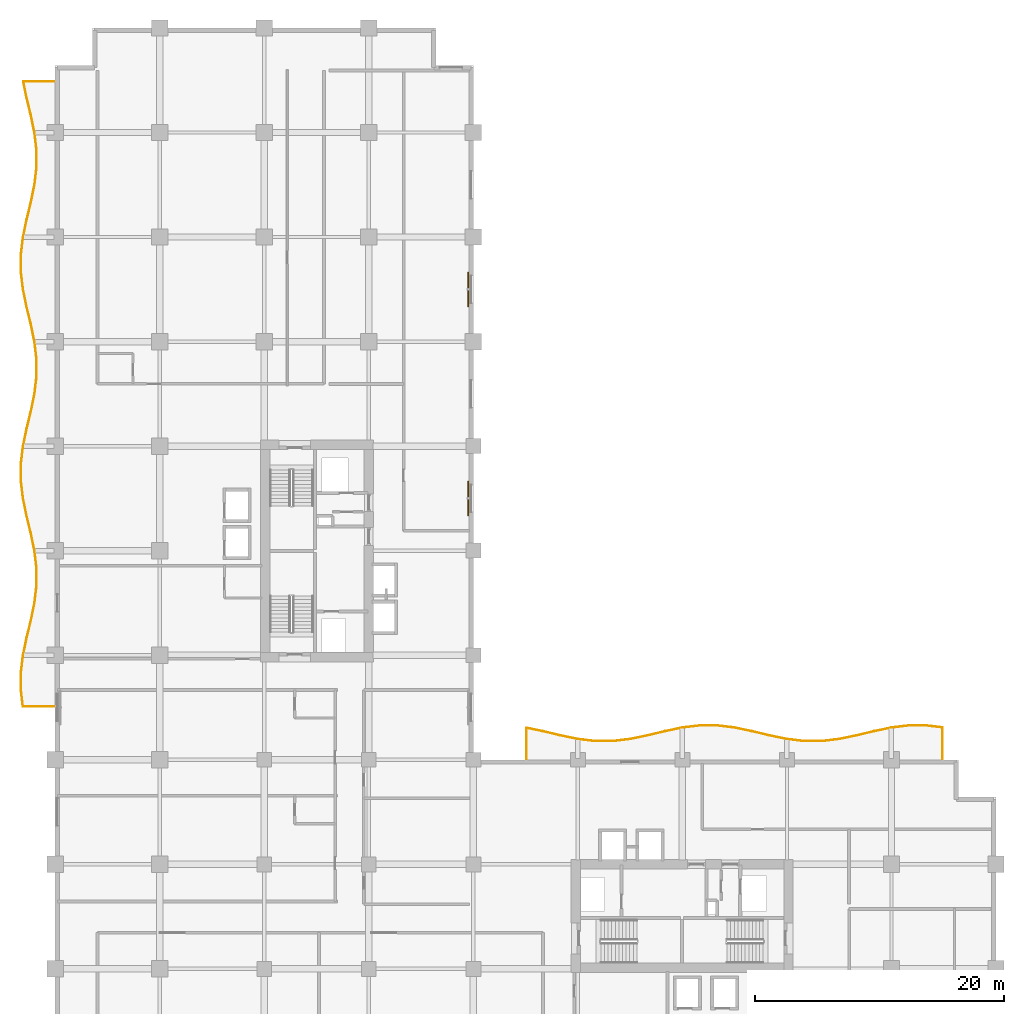
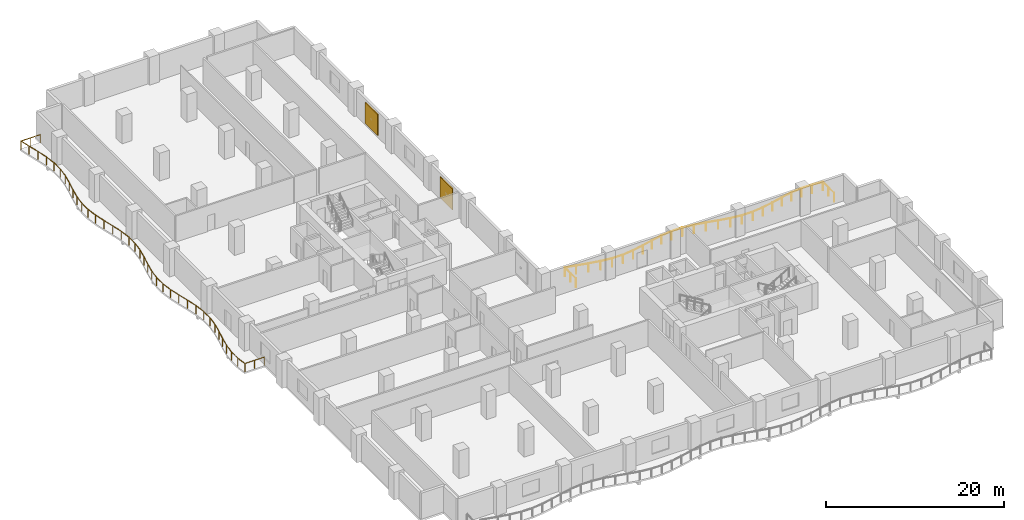
# One storey, part 15 of 15: 2 railings, 2 shading devices.
"""IFC4 building model written with IfcOpenShell, lengths in metres."""

from ifc_helpers import new_model, si_unit, direction, frame, origin, origin_2d, place, context, subcontext, project, spatial, rectangle, circle, extrude, material, layer, layer_set, type_object, element, save


model = new_model("IFC4")

# Units and contexts
model_context = context("Model", 3, precision=1e-05, world=origin(), true_north=direction((0.0, 1.0)))
body_context = subcontext(model_context, "Body", "Model", "MODEL_VIEW")
ifc_project = project(units=[si_unit("LENGTHUNIT", "METRE"), si_unit("AREAUNIT", "SQUARE_METRE"), si_unit("VOLUMEUNIT", "CUBIC_METRE"), si_unit("PLANEANGLEUNIT", "RADIAN"), si_unit("MASSUNIT", "GRAM", prefix="KILO")], contexts=[model_context])

# Site, building, storey
site_placement = place(None, origin())
site = spatial("IfcSite", under=ifc_project, at=site_placement, CompositionType="ELEMENT")
building_placement = place(site_placement, origin())
building = spatial("IfcBuilding", under=site, at=building_placement, Name="Koriwani Terraces Tower", CompositionType="ELEMENT")
storey_placement = place(building_placement, frame((0.0, 0.0, 138.0)))
storey = spatial("IfcBuildingStorey", under=building, at=storey_placement, Name="L33", CompositionType="ELEMENT", Elevation=138.0)

# Railings
ifc_material_1 = material(Name="Steel ASTM A572 Grade 50", Category="steel")
railing_type = type_object("IfcRailingType", Name="GUARD_BALUSTRADE_1150", PredefinedType="BALUSTRADE", material=ifc_material_1)
railing_1_placement = place(storey_placement, frame((-0.080078125, 37.8798828125, 0.0)))
element("IfcRailing", 1, at=railing_1_placement, inside=storey, type_object=railing_type, Name="L33 Balcony Perimeter Safety Balustrade (W)", PredefinedType="BALUSTRADE", context=body_context, shape_type="SweptSolid", body=[
    extrude(circle(Radius=0.02392578125, at=origin_2d()), frame((0.0, 0.0, 1.1259765625), z_axis=(-1.0, 0.0, 0.0), x_axis=(0.0, -1.0, 0.0)), (0.0, 0.0, 1.0), 2.508544921875),
    extrude(circle(Radius=0.02392578125, at=origin_2d()), frame((-2.508544921875, 0.0, 1.1259765625), z_axis=(-0.119282286421, 0.992860380993, 0.0), x_axis=(-0.992860380993, -0.119282286421, 0.0)), (0.0, 0.0, 1.0), 1.33447265625),
    extrude(circle(Radius=0.02392578125, at=origin_2d()), frame((-2.667724609375, 1.324951171875, 1.1259765625), z_axis=(0.0, 1.0, 0.0), x_axis=(-1.0, 0.0, 0.0)), (0.0, 0.0, 1.0), 1.390380859375),
    extrude(circle(Radius=0.02392578125, at=origin_2d()), frame((-2.667724609375, 2.71533203125, 1.1259765625), z_axis=(0.119296300234, 0.992858697273, 0.0), x_axis=(-0.992858697273, 0.119296300234, 0.0)), (0.0, 0.0, 1.0), 1.40185546875),
    extrude(circle(Radius=0.02392578125, at=origin_2d()), frame((-2.50048828125, 4.107177734375, 1.1259765625), z_axis=(0.203817459967, 0.979008908546, 0.0), x_axis=(-0.979008908546, 0.203817459967, 0.0)), (0.0, 0.0, 1.0), 1.425537109375),
    extrude(circle(Radius=0.02392578125, at=origin_2d()), frame((-2.2099609375, 5.502685546875, 1.1259765625), z_axis=(0.233667958249, 0.972316453264, 0.0), x_axis=(-0.972316453264, 0.233667958249, 0.0)), (0.0, 0.0, 1.0), 1.439697265625),
    extrude(circle(Radius=0.02392578125, at=origin_2d()), frame((-1.87353515625, 6.902587890625, 1.1259765625), z_axis=(0.203539678581, 0.979066698056, 0.0), x_axis=(-0.979066698056, 0.203539678581, 0.0)), (0.0, 0.0, 1.0), 1.4345703125),
    extrude(circle(Radius=0.02392578125, at=origin_2d()), frame((-1.58154296875, 8.30712890625, 1.1259765625), z_axis=(0.119287758056, 0.992859723616, 0.0), x_axis=(-0.992859723616, 0.119287758056, 0.0)), (0.0, 0.0, 1.0), 1.418212890625),
    extrude(circle(Radius=0.02392578125, at=origin_2d()), frame((-1.412353515625, 9.71533203125, 1.1259765625), z_axis=(0.0, 1.0, 0.0), x_axis=(-1.0, 0.0, 0.0)), (0.0, 0.0, 1.0), 1.40966796875),
    extrude(circle(Radius=0.02392578125, at=origin_2d()), frame((-1.412353515625, 11.125, 1.1259765625), z_axis=(-0.119308148191, 0.992857273618, 0.0), x_axis=(-0.992857273618, -0.119308148191, 0.0)), (0.0, 0.0, 1.0), 1.41796875),
    extrude(circle(Radius=0.02392578125, at=origin_2d()), frame((-1.58154296875, 12.532958984375, 1.1259765625), z_axis=(-0.203539678581, 0.979066698056, 0.0), x_axis=(-0.979066698056, -0.203539678581, 0.0)), (0.0, 0.0, 1.0), 1.4345703125),
    extrude(circle(Radius=0.02392578125, at=origin_2d()), frame((-1.87353515625, 13.9375, 1.1259765625), z_axis=(-0.233629438166, 0.972325709638, 0.0), x_axis=(-0.972325709638, -0.233629438166, 0.0)), (0.0, 0.0, 1.0), 1.43994140625),
    extrude(circle(Radius=0.02392578125, at=origin_2d()), frame((-2.2099609375, 15.337646484375, 1.1259765625), z_axis=(-0.20385164167, 0.979001791719, 0.0), x_axis=(-0.979001791719, -0.20385164167, 0.0)), (0.0, 0.0, 1.0), 1.42529296875),
    extrude(circle(Radius=0.02392578125, at=origin_2d()), frame((-2.50048828125, 16.73291015625, 1.1259765625), z_axis=(-0.119275676073, 0.992861175138, 0.0), x_axis=(-0.992861175138, -0.119275676073, 0.0)), (0.0, 0.0, 1.0), 1.402099609375),
    extrude(circle(Radius=0.02392578125, at=origin_2d()), frame((-2.667724609375, 18.125, 1.1259765625), z_axis=(0.0, 1.0, 0.0), x_axis=(-1.0, 0.0, 0.0)), (0.0, 0.0, 1.0), 1.390380859375),
    extrude(circle(Radius=0.02392578125, at=origin_2d()), frame((-2.667724609375, 19.515380859375, 1.1259765625), z_axis=(0.119296300234, 0.992858697273, 0.0), x_axis=(-0.992858697273, 0.119296300234, 0.0)), (0.0, 0.0, 1.0), 1.40185546875),
    extrude(circle(Radius=0.02392578125, at=origin_2d()), frame((-2.50048828125, 20.9072265625, 1.1259765625), z_axis=(0.203817459967, 0.979008908546, 0.0), x_axis=(-0.979008908546, 0.203817459967, 0.0)), (0.0, 0.0, 1.0), 1.425537109375),
    extrude(circle(Radius=0.02392578125, at=origin_2d()), frame((-2.2099609375, 22.302734375, 1.1259765625), z_axis=(0.233667958249, 0.972316453264, 0.0), x_axis=(-0.972316453264, 0.233667958249, 0.0)), (0.0, 0.0, 1.0), 1.439697265625),
    extrude(circle(Radius=0.02392578125, at=origin_2d()), frame((-1.87353515625, 23.70263671875, 1.1259765625), z_axis=(0.203539678581, 0.979066698056, 0.0), x_axis=(-0.979066698056, 0.203539678581, 0.0)), (0.0, 0.0, 1.0), 1.4345703125),
    extrude(circle(Radius=0.02392578125, at=origin_2d()), frame((-1.58154296875, 25.107177734375, 1.1259765625), z_axis=(0.119287758056, 0.992859723616, 0.0), x_axis=(-0.992859723616, 0.119287758056, 0.0)), (0.0, 0.0, 1.0), 1.418212890625),
    extrude(circle(Radius=0.02392578125, at=origin_2d()), frame((-1.412353515625, 26.515380859375, 1.1259765625), z_axis=(0.0, 1.0, 0.0), x_axis=(-1.0, 0.0, 0.0)), (0.0, 0.0, 1.0), 1.409423828125),
    extrude(circle(Radius=0.02392578125, at=origin_2d()), frame((-1.412353515625, 27.9248046875, 1.1259765625), z_axis=(-0.119287758056, 0.992859723616, 0.0), x_axis=(-0.992859723616, -0.119287758056, 0.0)), (0.0, 0.0, 1.0), 1.418212890625),
    extrude(circle(Radius=0.02392578125, at=origin_2d()), frame((-1.58154296875, 29.3330078125, 1.1259765625), z_axis=(-0.203539678581, 0.979066698056, 0.0), x_axis=(-0.979066698056, -0.203539678581, 0.0)), (0.0, 0.0, 1.0), 1.4345703125),
    extrude(circle(Radius=0.02392578125, at=origin_2d()), frame((-1.87353515625, 30.737548828125, 1.1259765625), z_axis=(-0.233629438166, 0.972325709638, 0.0), x_axis=(-0.972325709638, -0.233629438166, 0.0)), (0.0, 0.0, 1.0), 1.43994140625),
    extrude(circle(Radius=0.02392578125, at=origin_2d()), frame((-2.2099609375, 32.1376953125, 1.1259765625), z_axis=(-0.20385164167, 0.979001791719, 0.0), x_axis=(-0.979001791719, -0.20385164167, 0.0)), (0.0, 0.0, 1.0), 1.42529296875),
    extrude(circle(Radius=0.02392578125, at=origin_2d()), frame((-2.50048828125, 33.532958984375, 1.1259765625), z_axis=(-0.119296300234, 0.992858697273, 0.0), x_axis=(-0.992858697273, -0.119296300234, 0.0)), (0.0, 0.0, 1.0), 1.40185546875),
    extrude(circle(Radius=0.02392578125, at=origin_2d()), frame((-2.667724609375, 34.9248046875, 1.1259765625), z_axis=(0.0, 1.0, 0.0), x_axis=(-1.0, 0.0, 0.0)), (0.0, 0.0, 1.0), 1.390625),
    extrude(circle(Radius=0.02392578125, at=origin_2d()), frame((-2.667724609375, 36.3154296875, 1.1259765625), z_axis=(0.119296300234, 0.992858697273, 0.0), x_axis=(-0.992858697273, 0.119296300234, 0.0)), (0.0, 0.0, 1.0), 1.40185546875),
    extrude(circle(Radius=0.02392578125, at=origin_2d()), frame((-2.50048828125, 37.707275390625, 1.1259765625), z_axis=(0.20385164167, 0.979001791719, 0.0), x_axis=(-0.979001791719, 0.20385164167, 0.0)), (0.0, 0.0, 1.0), 1.42529296875),
    extrude(circle(Radius=0.02392578125, at=origin_2d()), frame((-2.2099609375, 39.1025390625, 1.1259765625), z_axis=(0.233629438166, 0.972325709638, 0.0), x_axis=(-0.972325709638, 0.233629438166, 0.0)), (0.0, 0.0, 1.0), 1.43994140625),
    extrude(circle(Radius=0.02392578125, at=origin_2d()), frame((-1.87353515625, 40.502685546875, 1.1259765625), z_axis=(0.203539678581, 0.979066698056, 0.0), x_axis=(-0.979066698056, 0.203539678581, 0.0)), (0.0, 0.0, 1.0), 1.4345703125),
    extrude(circle(Radius=0.02392578125, at=origin_2d()), frame((-1.58154296875, 41.9072265625, 1.1259765625), z_axis=(0.119287758056, 0.992859723616, 0.0), x_axis=(-0.992859723616, 0.119287758056, 0.0)), (0.0, 0.0, 1.0), 1.418212890625),
    extrude(circle(Radius=0.02392578125, at=origin_2d()), frame((-1.412353515625, 43.3154296875, 1.1259765625), z_axis=(0.0, 1.0, 0.0), x_axis=(-1.0, 0.0, 0.0)), (0.0, 0.0, 1.0), 1.409423828125),
    extrude(circle(Radius=0.02392578125, at=origin_2d()), frame((-1.412353515625, 44.724853515625, 1.1259765625), z_axis=(-0.119287758056, 0.992859723616, 0.0), x_axis=(-0.992859723616, -0.119287758056, 0.0)), (0.0, 0.0, 1.0), 1.418212890625),
    extrude(circle(Radius=0.02392578125, at=origin_2d()), frame((-1.58154296875, 46.133056640625, 1.1259765625), z_axis=(-0.203539678581, 0.979066698056, 0.0), x_axis=(-0.979066698056, -0.203539678581, 0.0)), (0.0, 0.0, 1.0), 1.4345703125),
    extrude(circle(Radius=0.02392578125, at=origin_2d()), frame((-1.87353515625, 47.53759765625, 1.1259765625), z_axis=(-0.233667958249, 0.972316453264, 0.0), x_axis=(-0.972316453264, -0.233667958249, 0.0)), (0.0, 0.0, 1.0), 1.439697265625),
    extrude(circle(Radius=0.02392578125, at=origin_2d()), frame((-2.2099609375, 48.9375, 1.1259765625), z_axis=(-0.203837026158, 0.979004834905, 0.0), x_axis=(-0.979004834905, -0.203837026158, 0.0)), (0.0, 0.0, 1.0), 1.33056640625),
    extrude(circle(Radius=0.02392578125, at=origin_2d()), frame((-2.481201171875, 50.240234375, 1.1259765625), z_axis=(1.0, 0.0, 0.0), x_axis=(0.0, 1.0, 0.0)), (0.0, 0.0, 1.0), 2.481201171875),
    extrude(circle(Radius=0.02099609375, at=origin_2d()), origin(), (0.0, 0.0, 1.0), 1.101806640625),
    extrude(circle(Radius=0.02099609375, at=origin_2d()), frame((-1.25439453125, 0.0, 0.0)), (0.0, 0.0, 1.0), 1.101806640625),
    extrude(circle(Radius=0.02099609375, at=origin_2d()), frame((-2.508544921875, 0.0, 0.0)), (0.0, 0.0, 1.0), 1.101806640625),
    extrude(circle(Radius=0.02099609375, at=origin_2d()), frame((-2.667724609375, 1.324951171875, 0.0)), (0.0, 0.0, 1.0), 1.101806640625),
    extrude(circle(Radius=0.02099609375, at=origin_2d()), frame((-2.667724609375, 2.71533203125, 0.0)), (0.0, 0.0, 1.0), 1.101806640625),
    extrude(circle(Radius=0.02099609375, at=origin_2d()), frame((-2.50048828125, 4.107177734375, 0.0)), (0.0, 0.0, 1.0), 1.101806640625),
    extrude(circle(Radius=0.02099609375, at=origin_2d()), frame((-2.2099609375, 5.502685546875, 0.0)), (0.0, 0.0, 1.0), 1.101806640625),
    extrude(circle(Radius=0.02099609375, at=origin_2d()), frame((-1.87353515625, 6.902587890625, 0.0)), (0.0, 0.0, 1.0), 1.101806640625),
    extrude(circle(Radius=0.02099609375, at=origin_2d()), frame((-1.58154296875, 8.30712890625, 0.0)), (0.0, 0.0, 1.0), 1.101806640625),
    extrude(circle(Radius=0.02099609375, at=origin_2d()), frame((-1.412353515625, 9.71533203125, 0.0)), (0.0, 0.0, 1.0), 1.101806640625),
    extrude(circle(Radius=0.02099609375, at=origin_2d()), frame((-1.412353515625, 11.125, 0.0)), (0.0, 0.0, 1.0), 1.101806640625),
    extrude(circle(Radius=0.02099609375, at=origin_2d()), frame((-1.58154296875, 12.532958984375, 0.0)), (0.0, 0.0, 1.0), 1.101806640625),
    extrude(circle(Radius=0.02099609375, at=origin_2d()), frame((-1.87353515625, 13.9375, 0.0)), (0.0, 0.0, 1.0), 1.101806640625),
    extrude(circle(Radius=0.02099609375, at=origin_2d()), frame((-2.2099609375, 15.337646484375, 0.0)), (0.0, 0.0, 1.0), 1.101806640625),
    extrude(circle(Radius=0.02099609375, at=origin_2d()), frame((-2.50048828125, 16.73291015625, 0.0)), (0.0, 0.0, 1.0), 1.101806640625),
    extrude(circle(Radius=0.02099609375, at=origin_2d()), frame((-2.667724609375, 18.125, 0.0)), (0.0, 0.0, 1.0), 1.101806640625),
    extrude(circle(Radius=0.02099609375, at=origin_2d()), frame((-2.667724609375, 19.515380859375, 0.0)), (0.0, 0.0, 1.0), 1.101806640625),
    extrude(circle(Radius=0.02099609375, at=origin_2d()), frame((-2.50048828125, 20.9072265625, 0.0)), (0.0, 0.0, 1.0), 1.101806640625),
    extrude(circle(Radius=0.02099609375, at=origin_2d()), frame((-2.2099609375, 22.302734375, 0.0)), (0.0, 0.0, 1.0), 1.101806640625),
    extrude(circle(Radius=0.02099609375, at=origin_2d()), frame((-1.87353515625, 23.70263671875, 0.0)), (0.0, 0.0, 1.0), 1.101806640625),
    extrude(circle(Radius=0.02099609375, at=origin_2d()), frame((-1.58154296875, 25.107177734375, 0.0)), (0.0, 0.0, 1.0), 1.101806640625),
    extrude(circle(Radius=0.02099609375, at=origin_2d()), frame((-1.412353515625, 26.515380859375, 0.0)), (0.0, 0.0, 1.0), 1.101806640625),
    extrude(circle(Radius=0.02099609375, at=origin_2d()), frame((-1.412353515625, 27.9248046875, 0.0)), (0.0, 0.0, 1.0), 1.101806640625),
    extrude(circle(Radius=0.02099609375, at=origin_2d()), frame((-1.58154296875, 29.3330078125, 0.0)), (0.0, 0.0, 1.0), 1.101806640625),
    extrude(circle(Radius=0.02099609375, at=origin_2d()), frame((-1.87353515625, 30.737548828125, 0.0)), (0.0, 0.0, 1.0), 1.101806640625),
    extrude(circle(Radius=0.02099609375, at=origin_2d()), frame((-2.2099609375, 32.1376953125, 0.0)), (0.0, 0.0, 1.0), 1.101806640625),
    extrude(circle(Radius=0.02099609375, at=origin_2d()), frame((-2.50048828125, 33.532958984375, 0.0)), (0.0, 0.0, 1.0), 1.101806640625),
    extrude(circle(Radius=0.02099609375, at=origin_2d()), frame((-2.667724609375, 34.9248046875, 0.0)), (0.0, 0.0, 1.0), 1.101806640625),
    extrude(circle(Radius=0.02099609375, at=origin_2d()), frame((-2.667724609375, 36.3154296875, 0.0)), (0.0, 0.0, 1.0), 1.101806640625),
    extrude(circle(Radius=0.02099609375, at=origin_2d()), frame((-2.50048828125, 37.707275390625, 0.0)), (0.0, 0.0, 1.0), 1.101806640625),
    extrude(circle(Radius=0.02099609375, at=origin_2d()), frame((-2.2099609375, 39.1025390625, 0.0)), (0.0, 0.0, 1.0), 1.101806640625),
    extrude(circle(Radius=0.02099609375, at=origin_2d()), frame((-1.87353515625, 40.502685546875, 0.0)), (0.0, 0.0, 1.0), 1.101806640625),
    extrude(circle(Radius=0.02099609375, at=origin_2d()), frame((-1.58154296875, 41.9072265625, 0.0)), (0.0, 0.0, 1.0), 1.101806640625),
    extrude(circle(Radius=0.02099609375, at=origin_2d()), frame((-1.412353515625, 43.3154296875, 0.0)), (0.0, 0.0, 1.0), 1.101806640625),
    extrude(circle(Radius=0.02099609375, at=origin_2d()), frame((-1.412353515625, 44.724853515625, 0.0)), (0.0, 0.0, 1.0), 1.101806640625),
    extrude(circle(Radius=0.02099609375, at=origin_2d()), frame((-1.58154296875, 46.133056640625, 0.0)), (0.0, 0.0, 1.0), 1.101806640625),
    extrude(circle(Radius=0.02099609375, at=origin_2d()), frame((-1.87353515625, 47.53759765625, 0.0)), (0.0, 0.0, 1.0), 1.101806640625),
    extrude(circle(Radius=0.02099609375, at=origin_2d()), frame((-2.2099609375, 48.9375, 0.0)), (0.0, 0.0, 1.0), 1.101806640625),
    extrude(circle(Radius=0.02099609375, at=origin_2d()), frame((-2.481201171875, 50.240234375, 0.0)), (0.0, 0.0, 1.0), 1.101806640625),
    extrude(circle(Radius=0.02099609375, at=origin_2d()), frame((-1.24072265625, 50.240234375, 0.0)), (0.0, 0.0, 1.0), 1.101806640625),
    extrude(circle(Radius=0.02099609375, at=origin_2d()), frame((0.0, 50.240234375, 0.0)), (0.0, 0.0, 1.0), 1.101806640625),
])
railing_2_placement = place(storey_placement, frame((71.320068359375, 33.679931640625, 0.0)))
element("IfcRailing", 2, at=railing_2_placement, inside=storey, type_object=railing_type, Name="L33 Balcony Perimeter Safety Balustrade (NE)", PredefinedType="BALUSTRADE", context=body_context, shape_type="SweptSolid", body=[
    extrude(circle(Radius=0.02392578125, at=origin_2d()), frame((0.0, 0.0, 1.1259765625), z_axis=(0.0, 1.0, 0.0), x_axis=(-1.0, 0.0, 0.0)), (0.0, 0.0, 1.0), 2.5087890625),
    extrude(circle(Radius=0.02392578125, at=origin_2d()), frame((0.0, 2.5087890625, 1.1259765625), z_axis=(-0.992860380993, 0.119282286421, 0.0), x_axis=(-0.119282286421, -0.992860380993, 0.0)), (0.0, 0.0, 1.0), 1.33447265625),
    extrude(circle(Radius=0.02392578125, at=origin_2d()), frame((-1.324951171875, 2.66796875, 1.1259765625), z_axis=(-1.0, 0.0, 0.0), x_axis=(0.0, -1.0, 0.0)), (0.0, 0.0, 1.0), 1.390380859375),
    extrude(circle(Radius=0.02392578125, at=origin_2d()), frame((-2.71533203125, 2.66796875, 1.1259765625), z_axis=(-0.992858697273, -0.119296300234, 0.0), x_axis=(0.119296300234, -0.992858697273, 0.0)), (0.0, 0.0, 1.0), 1.40185546875),
    extrude(circle(Radius=0.02392578125, at=origin_2d()), frame((-4.107177734375, 2.500732421875, 1.1259765625), z_axis=(-0.979008908546, -0.203817459967, 0.0), x_axis=(0.203817459967, -0.979008908546, 0.0)), (0.0, 0.0, 1.0), 1.425537109375),
    extrude(circle(Radius=0.02392578125, at=origin_2d()), frame((-5.502685546875, 2.210205078125, 1.1259765625), z_axis=(-0.972316453264, -0.233667958249, 0.0), x_axis=(0.233667958249, -0.972316453264, 0.0)), (0.0, 0.0, 1.0), 1.439697265625),
    extrude(circle(Radius=0.02392578125, at=origin_2d()), frame((-6.902587890625, 1.873779296875, 1.1259765625), z_axis=(-0.979032771622, -0.203702803343, 0.0), x_axis=(0.203702803343, -0.979032771622, 0.0)), (0.0, 0.0, 1.0), 1.4345703125),
    extrude(circle(Radius=0.02392578125, at=origin_2d()), frame((-8.30712890625, 1.58154296875, 1.1259765625), z_axis=(-0.992859723616, -0.119287758056, 0.0), x_axis=(0.119287758056, -0.992859723616, 0.0)), (0.0, 0.0, 1.0), 1.418212890625),
    extrude(circle(Radius=0.02392578125, at=origin_2d()), frame((-9.71533203125, 1.412353515625, 1.1259765625), z_axis=(-1.0, 0.0, 0.0), x_axis=(0.0, -1.0, 0.0)), (0.0, 0.0, 1.0), 1.409423828125),
    extrude(circle(Radius=0.02392578125, at=origin_2d()), frame((-11.124755859375, 1.412353515625, 1.1259765625), z_axis=(-0.992859723616, 0.119287758056, 0.0), x_axis=(-0.119287758056, -0.992859723616, 0.0)), (0.0, 0.0, 1.0), 1.418212890625),
    extrude(circle(Radius=0.02392578125, at=origin_2d()), frame((-12.532958984375, 1.58154296875, 1.1259765625), z_axis=(-0.979032771622, 0.203702803343, 0.0), x_axis=(-0.203702803343, -0.979032771622, 0.0)), (0.0, 0.0, 1.0), 1.4345703125),
    extrude(circle(Radius=0.02392578125, at=origin_2d()), frame((-13.9375, 1.873779296875, 1.1259765625), z_axis=(-0.972325709638, 0.233629438166, 0.0), x_axis=(-0.233629438166, -0.972325709638, 0.0)), (0.0, 0.0, 1.0), 1.43994140625),
    extrude(circle(Radius=0.02392578125, at=origin_2d()), frame((-15.337646484375, 2.210205078125, 1.1259765625), z_axis=(-0.979001791719, 0.20385164167, 0.0), x_axis=(-0.20385164167, -0.979001791719, 0.0)), (0.0, 0.0, 1.0), 1.42529296875),
    extrude(circle(Radius=0.02392578125, at=origin_2d()), frame((-16.73291015625, 2.500732421875, 1.1259765625), z_axis=(-0.992858697273, 0.119296300234, 0.0), x_axis=(-0.119296300234, -0.992858697273, 0.0)), (0.0, 0.0, 1.0), 1.40185546875),
    extrude(circle(Radius=0.02392578125, at=origin_2d()), frame((-18.124755859375, 2.66796875, 1.1259765625), z_axis=(-1.0, 0.0, 0.0), x_axis=(0.0, -1.0, 0.0)), (0.0, 0.0, 1.0), 1.390625),
    extrude(circle(Radius=0.02392578125, at=origin_2d()), frame((-19.515380859375, 2.66796875, 1.1259765625), z_axis=(-0.992858697273, -0.119296300234, 0.0), x_axis=(0.119296300234, -0.992858697273, 0.0)), (0.0, 0.0, 1.0), 1.40185546875),
    extrude(circle(Radius=0.02392578125, at=origin_2d()), frame((-20.9072265625, 2.500732421875, 1.1259765625), z_axis=(-0.979001791719, -0.20385164167, 0.0), x_axis=(0.20385164167, -0.979001791719, 0.0)), (0.0, 0.0, 1.0), 1.42529296875),
    extrude(circle(Radius=0.02392578125, at=origin_2d()), frame((-22.302490234375, 2.210205078125, 1.1259765625), z_axis=(-0.972325709638, -0.233629438166, 0.0), x_axis=(0.233629438166, -0.972325709638, 0.0)), (0.0, 0.0, 1.0), 1.43994140625),
    extrude(circle(Radius=0.02392578125, at=origin_2d()), frame((-23.70263671875, 1.873779296875, 1.1259765625), z_axis=(-0.979032771622, -0.203702803343, 0.0), x_axis=(0.203702803343, -0.979032771622, 0.0)), (0.0, 0.0, 1.0), 1.4345703125),
    extrude(circle(Radius=0.02392578125, at=origin_2d()), frame((-25.107177734375, 1.58154296875, 1.1259765625), z_axis=(-0.992859723616, -0.119287758056, 0.0), x_axis=(0.119287758056, -0.992859723616, 0.0)), (0.0, 0.0, 1.0), 1.418212890625),
    extrude(circle(Radius=0.02392578125, at=origin_2d()), frame((-26.515380859375, 1.412353515625, 1.1259765625), z_axis=(-1.0, 0.0, 0.0), x_axis=(0.0, -1.0, 0.0)), (0.0, 0.0, 1.0), 1.409423828125),
    extrude(circle(Radius=0.02392578125, at=origin_2d()), frame((-27.9248046875, 1.412353515625, 1.1259765625), z_axis=(-0.992859723616, 0.119287758056, 0.0), x_axis=(-0.119287758056, -0.992859723616, 0.0)), (0.0, 0.0, 1.0), 1.418212890625),
    extrude(circle(Radius=0.02392578125, at=origin_2d()), frame((-29.3330078125, 1.58154296875, 1.1259765625), z_axis=(-0.979032771622, 0.203702803343, 0.0), x_axis=(-0.203702803343, -0.979032771622, 0.0)), (0.0, 0.0, 1.0), 1.4345703125),
    extrude(circle(Radius=0.02392578125, at=origin_2d()), frame((-30.737548828125, 1.873779296875, 1.1259765625), z_axis=(-0.972316453264, 0.233667958249, 0.0), x_axis=(-0.233667958249, -0.972316453264, 0.0)), (0.0, 0.0, 1.0), 1.439697265625),
    extrude(circle(Radius=0.02392578125, at=origin_2d()), frame((-32.137451171875, 2.210205078125, 1.1259765625), z_axis=(-0.979041433615, 0.203661167787, 0.0), x_axis=(-0.203661167787, -0.979041433615, 0.0)), (0.0, 0.0, 1.0), 1.33056640625),
    extrude(circle(Radius=0.02392578125, at=origin_2d()), frame((-33.440185546875, 2.481201171875, 1.1259765625), z_axis=(0.0, -1.0, 0.0), x_axis=(1.0, 0.0, 0.0)), (0.0, 0.0, 1.0), 2.481201171875),
    extrude(circle(Radius=0.02099609375, at=origin_2d()), origin(), (0.0, 0.0, 1.0), 1.101806640625),
    extrude(circle(Radius=0.02099609375, at=origin_2d()), frame((0.0, 1.25439453125, 0.0)), (0.0, 0.0, 1.0), 1.101806640625),
    extrude(circle(Radius=0.02099609375, at=origin_2d()), frame((0.0, 2.5087890625, 0.0)), (0.0, 0.0, 1.0), 1.101806640625),
    extrude(circle(Radius=0.02099609375, at=origin_2d()), frame((-1.324951171875, 2.66796875, 0.0)), (0.0, 0.0, 1.0), 1.101806640625),
    extrude(circle(Radius=0.02099609375, at=origin_2d()), frame((-2.71533203125, 2.66796875, 0.0)), (0.0, 0.0, 1.0), 1.101806640625),
    extrude(circle(Radius=0.02099609375, at=origin_2d()), frame((-4.107177734375, 2.500732421875, 0.0)), (0.0, 0.0, 1.0), 1.101806640625),
    extrude(circle(Radius=0.02099609375, at=origin_2d()), frame((-5.502685546875, 2.210205078125, 0.0)), (0.0, 0.0, 1.0), 1.101806640625),
    extrude(circle(Radius=0.02099609375, at=origin_2d()), frame((-6.902587890625, 1.873779296875, 0.0)), (0.0, 0.0, 1.0), 1.101806640625),
    extrude(circle(Radius=0.02099609375, at=origin_2d()), frame((-8.30712890625, 1.58154296875, 0.0)), (0.0, 0.0, 1.0), 1.101806640625),
    extrude(circle(Radius=0.02099609375, at=origin_2d()), frame((-9.71533203125, 1.412353515625, 0.0)), (0.0, 0.0, 1.0), 1.101806640625),
    extrude(circle(Radius=0.02099609375, at=origin_2d()), frame((-11.124755859375, 1.412353515625, 0.0)), (0.0, 0.0, 1.0), 1.101806640625),
    extrude(circle(Radius=0.02099609375, at=origin_2d()), frame((-12.532958984375, 1.58154296875, 0.0)), (0.0, 0.0, 1.0), 1.101806640625),
    extrude(circle(Radius=0.02099609375, at=origin_2d()), frame((-13.9375, 1.873779296875, 0.0)), (0.0, 0.0, 1.0), 1.101806640625),
    extrude(circle(Radius=0.02099609375, at=origin_2d()), frame((-15.337646484375, 2.210205078125, 0.0)), (0.0, 0.0, 1.0), 1.101806640625),
    extrude(circle(Radius=0.02099609375, at=origin_2d()), frame((-16.73291015625, 2.500732421875, 0.0)), (0.0, 0.0, 1.0), 1.101806640625),
    extrude(circle(Radius=0.02099609375, at=origin_2d()), frame((-18.124755859375, 2.66796875, 0.0)), (0.0, 0.0, 1.0), 1.101806640625),
    extrude(circle(Radius=0.02099609375, at=origin_2d()), frame((-19.515380859375, 2.66796875, 0.0)), (0.0, 0.0, 1.0), 1.101806640625),
    extrude(circle(Radius=0.02099609375, at=origin_2d()), frame((-20.9072265625, 2.500732421875, 0.0)), (0.0, 0.0, 1.0), 1.101806640625),
    extrude(circle(Radius=0.02099609375, at=origin_2d()), frame((-22.302490234375, 2.210205078125, 0.0)), (0.0, 0.0, 1.0), 1.101806640625),
    extrude(circle(Radius=0.02099609375, at=origin_2d()), frame((-23.70263671875, 1.873779296875, 0.0)), (0.0, 0.0, 1.0), 1.101806640625),
    extrude(circle(Radius=0.02099609375, at=origin_2d()), frame((-25.107177734375, 1.58154296875, 0.0)), (0.0, 0.0, 1.0), 1.101806640625),
    extrude(circle(Radius=0.02099609375, at=origin_2d()), frame((-26.515380859375, 1.412353515625, 0.0)), (0.0, 0.0, 1.0), 1.101806640625),
    extrude(circle(Radius=0.02099609375, at=origin_2d()), frame((-27.9248046875, 1.412353515625, 0.0)), (0.0, 0.0, 1.0), 1.101806640625),
    extrude(circle(Radius=0.02099609375, at=origin_2d()), frame((-29.3330078125, 1.58154296875, 0.0)), (0.0, 0.0, 1.0), 1.101806640625),
    extrude(circle(Radius=0.02099609375, at=origin_2d()), frame((-30.737548828125, 1.873779296875, 0.0)), (0.0, 0.0, 1.0), 1.101806640625),
    extrude(circle(Radius=0.02099609375, at=origin_2d()), frame((-32.137451171875, 2.210205078125, 0.0)), (0.0, 0.0, 1.0), 1.101806640625),
    extrude(circle(Radius=0.02099609375, at=origin_2d()), frame((-33.440185546875, 2.481201171875, 0.0)), (0.0, 0.0, 1.0), 1.101806640625),
    extrude(circle(Radius=0.02099609375, at=origin_2d()), frame((-33.440185546875, 1.24072265625, 0.0)), (0.0, 0.0, 1.0), 1.101806640625),
    extrude(circle(Radius=0.02099609375, at=origin_2d()), frame((-33.440185546875, 0.0, 0.0)), (0.0, 0.0, 1.0), 1.101806640625),
])

# Shading devices
ifc_material_2 = material(Name="Extruded Terracotta Clay", Category="masonry")
ifc_layer = layer(ifc_material_2, 0.1201171875, Name="Extruded Terracotta Clay")
ifc_layer_set = layer_set([ifc_layer], Name="Extruded Terracotta Clay")
shading_device_type = type_object("IfcShadingDeviceType", Name="TERRACOTTA_BAGUETTE_SCREEN_2800", PredefinedType="USERDEFINED", material=ifc_layer_set)
for number, where, z_axis, x_axis, name in (
    (3, (33.195068359375, 54.60009765625, 0.324951171875), (0.0, 0.0, 1.0), (0.0, -1.0, 0.0), "L33 Extruded Terracotta Baguette Screen (NW_IN-8)"),
    (4, (33.195068359375, 71.39990234375, 0.324951171875), (0.0, 0.0, 1.0), (0.0, -1.0, 0.0), "L33 Extruded Terracotta Baguette Screen (NW_IN-14)"),
):
    element("IfcShadingDevice", number, at=place(storey_placement, frame(where, z_axis=z_axis, x_axis=x_axis)), inside=storey, type_object=shading_device_type, Name=name, ObjectType="BAGUETTE", PredefinedType="USERDEFINED", context=body_context, shape_type="SweptSolid", body=[
        extrude(rectangle(XDim=2.760009765625, YDim=0.1201171875, at=origin_2d()), origin(), (0.0, 0.0, 1.0), 2.89990234375),
    ])

save(model, "model.ifc")
